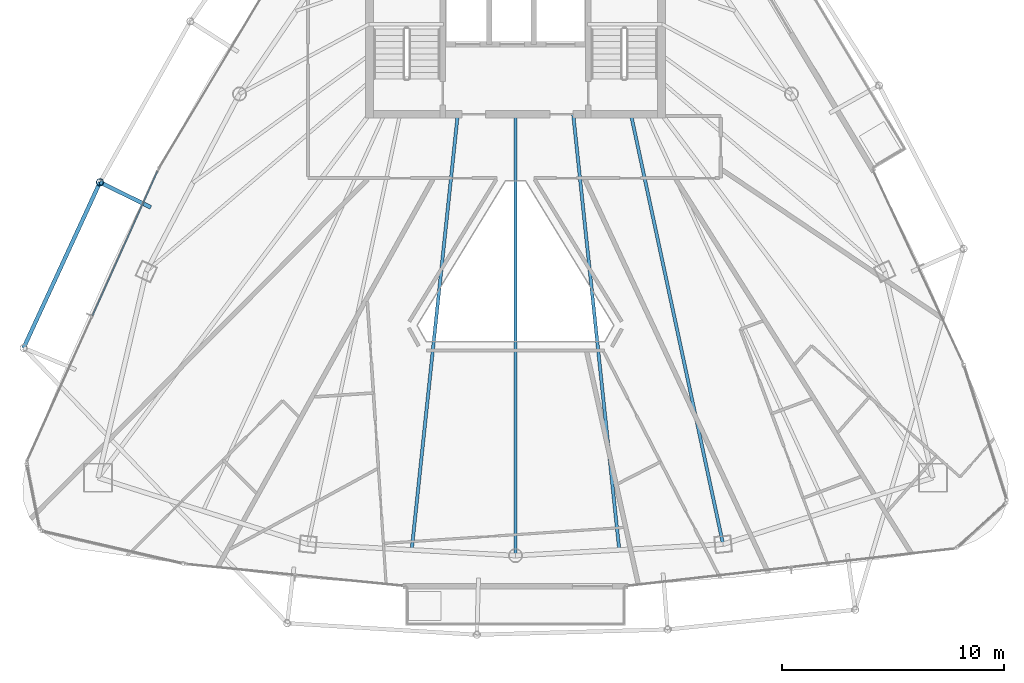
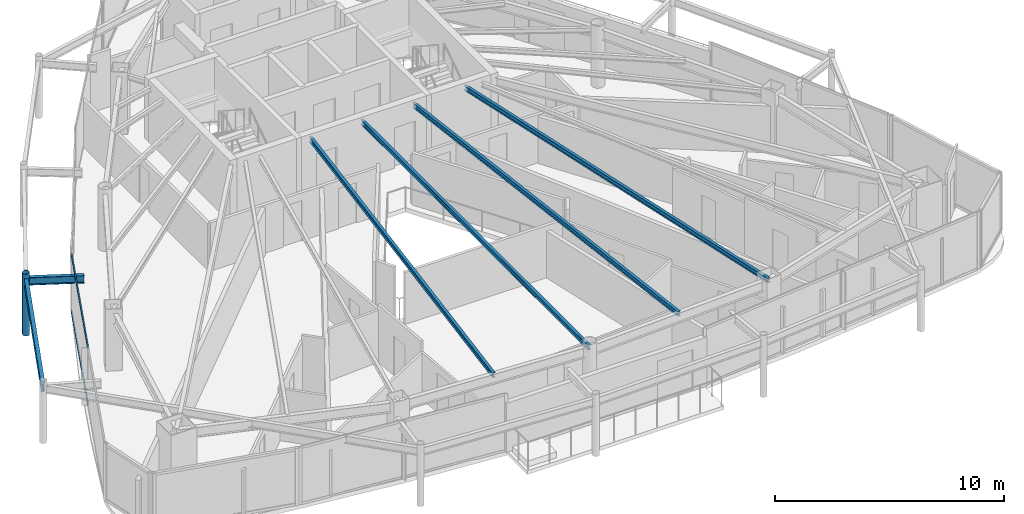
# One storey, part 9 of 29: 6 beams, 3 members, 1 element without a shape of its own.
"""IFC4 building model written with IfcOpenShell, lengths in metres."""

from ifc_helpers import new_model, si_unit, direction, frame, origin, origin_2d, place, context, subcontext, project, spatial, hollow_rectangle, hollow_circle, i_section, extrude, material, layer, layer_set, material_profile, profile_set, type_object, element, aggregate, save


model = new_model("IFC4")

# Units and contexts
model_context = context("Model", 3, precision=1e-05, world=origin(), true_north=direction((0.0, 1.0)))
body_context = subcontext(model_context, "Body", "Model", "MODEL_VIEW")
ifc_project = project(units=[si_unit("LENGTHUNIT", "METRE"), si_unit("AREAUNIT", "SQUARE_METRE"), si_unit("VOLUMEUNIT", "CUBIC_METRE"), si_unit("PLANEANGLEUNIT", "RADIAN"), si_unit("MASSUNIT", "GRAM", prefix="KILO")], contexts=[model_context])

# Site, building, storey
site_placement = place(None, origin())
site = spatial("IfcSite", under=ifc_project, at=site_placement, CompositionType="ELEMENT")
building_placement = place(site_placement, origin())
building = spatial("IfcBuilding", under=site, at=building_placement, Name="Orvanel Arch Residences", CompositionType="ELEMENT")
storey_placement = place(building_placement, frame((0.0, 0.0, 250.25)))
storey = spatial("IfcBuildingStorey", under=building, at=storey_placement, Name="L71", CompositionType="ELEMENT", Elevation=250.25)

# Beams
ifc_material_1 = material(Name="Structural steel AS/NZS 3679.1 Grade 300 (300 MPa)", Category="steel")
ifc_material_profile_1 = material_profile(ifc_material_1, i_section(OverallWidth=0.14599609375, OverallDepth=0.251953125, WebThickness=0.006103515625, FlangeThickness=0.008544921875, at=origin_2d()), Name="250UB31.4")
ifc_profile_set_1 = profile_set([ifc_material_profile_1], Name="Structural steel AS/NZS 3679.1 Grade 300 (300 MPa)")
beam_type_1 = type_object("IfcBeamType", Name="BJ-250UB", PredefinedType="JOIST", material=ifc_profile_set_1)
beam_1_placement = place(storey_placement, frame((38.199951171875, 26.72509765625, 2.93408203125), z_axis=(0.209547604985, -0.977798446125, 0.0), x_axis=(0.977798446125, 0.209547604985, 0.0)))
element("IfcBeam", 1, at=beam_1_placement, inside=storey, type_object=beam_type_1, Name="L71 SE Wing Floor Joist", PredefinedType="JOIST", context=body_context, shape_type="SweptSolid", body=[
    extrude(i_section(OverallWidth=0.14599609375, OverallDepth=0.251953125, WebThickness=0.006103515625, FlangeThickness=0.008544921875, at=origin_2d()), origin(), (0.0, 0.0, 1.0), 19.809814453125),
])
beam_2_placement = place(storey_placement, frame((33.0, 26.72509765625, 2.93408203125), z_axis=(0.0, -1.0, 0.0), x_axis=(1.0, 0.0, 0.0)))
element("IfcBeam", 2, at=beam_2_placement, inside=storey, type_object=beam_type_1, Name="L71 SSW Wing Floor Joist", PredefinedType="JOIST", context=body_context, shape_type="SweptSolid", body=[
    extrude(i_section(OverallWidth=0.14599609375, OverallDepth=0.251953125, WebThickness=0.006103515625, FlangeThickness=0.008544921875, at=origin_2d()), origin(), (0.0, 0.0, 1.0), 19.881103515625),
])
for number, where, z_axis, x_axis, name in (
    (3, (30.39990234375, 26.72509765625, 2.93408203125), (-0.105143936131, -0.994457014, 0.0), (0.994457014, -0.105143936131, 0.0), "L71 WSW2 Wing Floor Joist"),
    (4, (35.60009765625, 26.72509765625, 2.93408203125), (0.105143936131, -0.994457014, 0.0), (0.994457014, 0.105143936131, 0.0), "L71 ESE2 Wing Floor Joist"),
):
    element("IfcBeam", number, at=place(storey_placement, frame(where, z_axis=z_axis, x_axis=x_axis)), inside=storey, type_object=beam_type_1, Name=name, PredefinedType="JOIST", context=body_context, shape_type="SweptSolid", body=[
        extrude(i_section(OverallWidth=0.14599609375, OverallDepth=0.251953125, WebThickness=0.006103515625, FlangeThickness=0.008544921875, at=origin_2d()), origin(), (0.0, 0.0, 1.0), 19.734375),
    ])
ifc_material_profile_2 = material_profile(ifc_material_1, i_section(OverallWidth=0.177978515625, OverallDepth=0.406005859375, WebThickness=0.0078125, FlangeThickness=0.0126953125, at=origin_2d()), Name="410UB59.7")
ifc_profile_set_2 = profile_set([ifc_material_profile_2], Name="Structural steel AS/NZS 3679.1 Grade 300 (300 MPa)")
beam_type_2 = type_object("IfcBeamType", Name="OB-410UB-EXT", PredefinedType="SPANDREL", material=ifc_profile_set_2)
beam_3_placement = place(storey_placement, frame((16.569091796875, 22.532958984375, 2.85693359375), z_axis=(-0.897243036385, 0.441537012784, 0.0), x_axis=(-0.441537012784, -0.897243036385, 0.0)))
element("IfcBeam", 5, at=beam_3_placement, inside=storey, type_object=beam_type_2, Name="L71 Outer Frame Radial Tie Beam 03", PredefinedType="SPANDREL", context=body_context, shape_type="SweptSolid", body=[
    extrude(i_section(OverallWidth=0.177978515625, OverallDepth=0.406005859375, WebThickness=0.0078125, FlangeThickness=0.0126953125, at=origin_2d()), origin(), (0.0, 0.0, 1.0), 2.550048828125),
])
beam_4_placement = place(storey_placement, frame((14.281005859375, 23.658935546875, 2.85693359375), z_axis=(-0.418654910199, -0.908145399243, 0.0), x_axis=(0.908145399243, -0.418654910199, 0.0)))
element("IfcBeam", 6, at=beam_4_placement, inside=storey, type_object=beam_type_2, Name="L71 Outer Perimeter Floor Ring Beam 03", PredefinedType="SPANDREL", context=body_context, shape_type="SweptSolid", body=[
    extrude(i_section(OverallWidth=0.177978515625, OverallDepth=0.406005859375, WebThickness=0.0078125, FlangeThickness=0.0126953125, at=origin_2d()), origin(), (0.0, 0.0, 1.0), 8.216552734375),
])

# Member
ifc_material_2 = material(Name="Structural steel AS/NZS 1163 C350L0 (Grade 350)", Category="steel")
ifc_material_profile_3 = material_profile(ifc_material_2, hollow_circle(Radius=0.162109375, WallThickness=0.0126953125, at=origin_2d()), Name="CHS324x12.7")
ifc_profile_set_3 = profile_set([ifc_material_profile_3], Name="Structural steel AS/NZS 1163 C350L0 (Grade 350)")
member_type_1 = type_object("IfcMemberType", Name="ST-324CHS-EXT", PredefinedType="STRUT", material=ifc_profile_set_3)
member_1_placement = place(storey_placement, frame((14.281005859375, 23.658935546875, 0.0), z_axis=(0.0, 0.0, 1.0), x_axis=(1.0, 0.0, 0.0)))
element("IfcMember", 7, at=member_1_placement, inside=storey, type_object=member_type_1, Name="L71 Outer Perimeter Frame Post 03", PredefinedType="STRUT", context=body_context, shape_type="SweptSolid", body=[
    extrude(hollow_circle(Radius=0.162109375, WallThickness=0.0126953125, at=origin_2d()), origin(), (0.0, 0.0, 1.0), 3.300048828125),
])

# Curtain wall, members
ifc_material_3 = material(Name="Bronze-anodised aluminium AA6063-T6", Category="aluminium")
ifc_layer = layer(ifc_material_3, 0.175048828125)
ifc_layer_set = layer_set([ifc_layer], Name="Bronze-anodised aluminium AA6063-T6")
curtain_wall_type = type_object("IfcCurtainWallType", Name="CW4-HI-SYS", PredefinedType="NOTDEFINED", material=ifc_layer_set)
curtain_wall_placement = place(storey_placement, origin())
curtain_wall = element("IfcCurtainWall", 8, at=curtain_wall_placement, inside=storey, type_object=curtain_wall_type, Name="L71 CW4-HI-SYS Unitised Curtain Wall", PredefinedType="NOTDEFINED")
ifc_material_profile_4 = material_profile(ifc_material_3, hollow_rectangle(XDim=0.06005859375, YDim=0.1201171875, WallThickness=0.00341796875, at=origin_2d()), Name="ALU120x60x3.5")
ifc_profile_set_4 = profile_set([ifc_material_profile_4], Name="Bronze-anodised aluminium AA6063-T6")
member_type_2 = type_object("IfcMemberType", Name="TRN-120x60", PredefinedType="USERDEFINED", material=ifc_profile_set_4)
member_2_placement = place(storey_placement, frame((16.869384765625, 24.15380859375, 0.030029296875), z_axis=(-0.410407456419, -0.911902253378, 0.0), x_axis=(0.911902253378, -0.410407456419, 0.0)))
member_2 = element("IfcMember", 9, at=member_2_placement, type_object=member_type_2, Name="CW-S4 transom 1.1", ObjectType="TRANSOM", PredefinedType="USERDEFINED", context=body_context, shape_type="SweptSolid", body=[
    extrude(hollow_rectangle(XDim=0.06005859375, YDim=0.1201171875, WallThickness=0.00341796875, at=origin_2d()), origin(), (0.0, 0.0, 1.0), 7.118896484375),
])
member_3_placement = place(storey_placement, frame((16.869384765625, 24.15380859375, 3.030029296875), z_axis=(-0.410407456419, -0.911902253378, 0.0), x_axis=(0.911902253378, -0.410407456419, 0.0)))
member_3 = element("IfcMember", 10, at=member_3_placement, type_object=member_type_2, Name="CW-S4 transom 1.2", ObjectType="TRANSOM", PredefinedType="USERDEFINED", context=body_context, shape_type="SweptSolid", body=[
    extrude(hollow_rectangle(XDim=0.06005859375, YDim=0.1201171875, WallThickness=0.00341796875, at=origin_2d()), origin(), (0.0, 0.0, 1.0), 7.118896484375),
])
aggregate(curtain_wall, [member_2, member_3])

save(model, "model.ifc")
